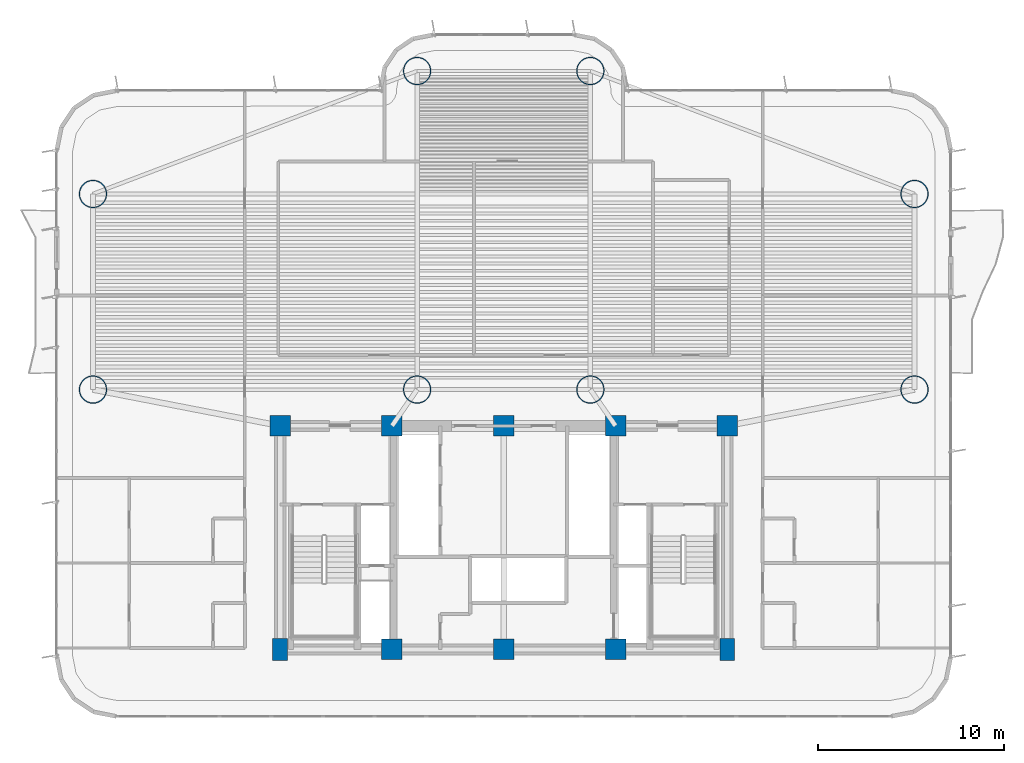
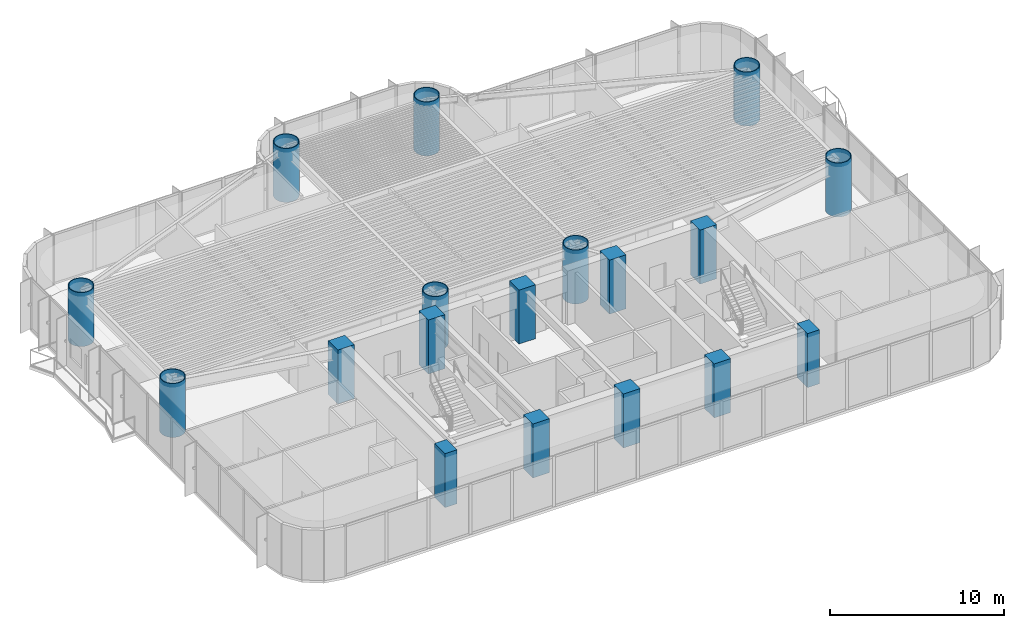
# One storey, part 1 of 17: 18 columns.
"""IFC4 building model written with IfcOpenShell, lengths in metres."""

from ifc_helpers import new_model, si_unit, direction, frame, origin, origin_2d, place, context, subcontext, project, spatial, rectangle, hollow_circle, extrude, source, transform, mapped, material, material_profile, profile_set, type_object, element, save


model = new_model("IFC4")

# Units and contexts
model_context = context("Model", 3, precision=1e-05, world=origin(), true_north=direction((0.0, 1.0)))
body_context = subcontext(model_context, "Body", "Model", "MODEL_VIEW")
ifc_project = project(units=[si_unit("LENGTHUNIT", "METRE"), si_unit("AREAUNIT", "SQUARE_METRE"), si_unit("VOLUMEUNIT", "CUBIC_METRE"), si_unit("PLANEANGLEUNIT", "RADIAN"), si_unit("MASSUNIT", "GRAM", prefix="KILO")], contexts=[model_context])

# Site, building, storey
site_placement = place(None, origin())
site = spatial("IfcSite", under=ifc_project, at=site_placement, CompositionType="ELEMENT")
building_placement = place(site_placement, origin())
building = spatial("IfcBuilding", under=site, at=building_placement, Name="Brelvock Crest Care Tower", CompositionType="ELEMENT")
storey_placement = place(building_placement, frame((0.0, 0.0, 53.4599609375)))
storey = spatial("IfcBuildingStorey", under=building, at=storey_placement, Name="L13", CompositionType="ELEMENT", Elevation=53.4599609375)

# Columns
ifc_material_1 = material(Name="Concrete S80 (80 MPa)", Category="concrete")
ifc_material_profile_1 = material_profile(ifc_material_1, rectangle(XDim=0.800048828125, YDim=1.199951171875, at=origin_2d()), Name="RC800x1200")
ifc_profile_set_1 = profile_set([ifc_material_profile_1], Name="Concrete S80 (80 MPa)")
column_type_1 = type_object("IfcColumnType", Name="COL-RC5", PredefinedType="COLUMN", material=ifc_profile_set_1)
shared_shape_1 = source(origin(), body_context, "Body", "SweptSolid", [
    extrude(rectangle(XDim=0.800048828125, YDim=1.199951171875, at=origin_2d()), origin(), (0.0, 0.0, 1.0), 3.780029296875),
])
for number, where, z_axis, x_axis, name in (
    (1, (24.0, 6.0, 0.0), (0.0, 0.0, 1.0), (1.0, 0.0, 0.0), "L13 Core Column CC-01"),
    (2, (48.0, 6.0, 0.0), (0.0, 0.0, 1.0), (1.0, 0.0, 0.0), "L13 Core Column CC-05"),
):
    element("IfcColumn", number, at=place(storey_placement, frame(where, z_axis=z_axis, x_axis=x_axis)), inside=storey, type_object=column_type_1, Name=name, PredefinedType="COLUMN", context=body_context, shape_type="MappedRepresentation", body=[
        mapped(shared_shape_1, transform((0.0, 0.0, 0.0), x_axis=(1.0, 0.0, 0.0), y_axis=(0.0, 1.0, 0.0), z_axis=(0.0, 0.0, 1.0), scale=1.0)),
    ])
ifc_material_profile_2 = material_profile(ifc_material_1, rectangle(XDim=1.10009765625, YDim=1.10009765625, at=origin_2d()), Name="RC1100x1100")
ifc_profile_set_2 = profile_set([ifc_material_profile_2], Name="Concrete S80 (80 MPa)")
column_type_2 = type_object("IfcColumnType", Name="COL-RC1", PredefinedType="COLUMN", material=ifc_profile_set_2)
shared_shape_2 = source(origin(), body_context, "Body", "SweptSolid", [
    extrude(rectangle(XDim=1.10009765625, YDim=1.10009765625, at=origin_2d()), origin(), (0.0, 0.0, 1.0), 3.780029296875),
])
for number, where, z_axis, x_axis, name in (
    (3, (30.0, 6.0, 0.0), (0.0, 0.0, 1.0), (1.0, 0.0, 0.0), "L13 Core Column CC-02"),
    (4, (36.0, 6.0, 0.0), (0.0, 0.0, 1.0), (1.0, 0.0, 0.0), "L13 Core Column CC-03"),
    (5, (42.0, 6.0, 0.0), (0.0, 0.0, 1.0), (1.0, 0.0, 0.0), "L13 Core Column CC-04"),
    (6, (24.0, 18.0, 0.0), (0.0, 0.0, 1.0), (1.0, 0.0, 0.0), "L13 Core Column CC-06"),
    (7, (30.0, 18.0, 0.0), (0.0, 0.0, 1.0), (1.0, 0.0, 0.0), "L13 Core Column CC-07"),
    (8, (36.0, 18.0, 0.0), (0.0, 0.0, 1.0), (1.0, 0.0, 0.0), "L13 Core Column CC-08"),
    (9, (42.0, 18.0, 0.0), (0.0, 0.0, 1.0), (1.0, 0.0, 0.0), "L13 Core Column CC-09"),
    (10, (48.0, 18.0, 0.0), (0.0, 0.0, 1.0), (1.0, 0.0, 0.0), "L13 Core Column CC-10"),
):
    element("IfcColumn", number, at=place(storey_placement, frame(where, z_axis=z_axis, x_axis=x_axis)), inside=storey, type_object=column_type_2, Name=name, PredefinedType="COLUMN", context=body_context, shape_type="MappedRepresentation", body=[
        mapped(shared_shape_2, transform((0.0, 0.0, 0.0), x_axis=(1.0, 0.0, 0.0), y_axis=(0.0, 1.0, 0.0), z_axis=(0.0, 0.0, 1.0), scale=1.0)),
    ])
ifc_material_2 = material(Name="Steel Grade 350", Category="steel")
ifc_material_profile_3 = material_profile(ifc_material_2, hollow_circle(Radius=0.75, WallThickness=0.050048828125, at=origin_2d()), Name="CFT1500x50")
ifc_profile_set_3 = profile_set([ifc_material_profile_3], Name="Steel Grade 350")
column_type_3 = type_object("IfcColumnType", Name="COL-MC1", PredefinedType="COLUMN", material=ifc_profile_set_3)
shared_shape_3 = source(origin(), body_context, "Body", "SweptSolid", [
    extrude(hollow_circle(Radius=0.75, WallThickness=0.050048828125, at=origin_2d()), origin(), (0.0, 0.0, 1.0), 3.780029296875),
])
for number, where, z_axis, x_axis, name in (
    (11, (13.949951171875, 19.949951171875, 0.0), (0.0, 0.0, 1.0), (1.0, 0.0, 0.0), "L13 Tower Column M1"),
    (12, (13.949951171875, 30.449951171875, 0.0), (0.0, 0.0, 1.0), (1.0, 0.0, 0.0), "L13 Tower Column M2"),
    (13, (58.050048828125, 19.949951171875, 0.0), (0.0, 0.0, 1.0), (1.0, 0.0, 0.0), "L13 Tower Column M3"),
    (14, (58.050048828125, 30.449951171875, 0.0), (0.0, 0.0, 1.0), (1.0, 0.0, 0.0), "L13 Tower Column M4"),
    (15, (31.35009765625, 19.949951171875, 0.0), (0.0, 0.0, 1.0), (1.0, 0.0, 0.0), "L13 Tower Column M5"),
    (16, (40.64990234375, 19.949951171875, 0.0), (0.0, 0.0, 1.0), (1.0, 0.0, 0.0), "L13 Tower Column M6"),
    (17, (31.35009765625, 37.050048828125, 0.0), (0.0, 0.0, 1.0), (1.0, 0.0, 0.0), "L13 Tower Column M7"),
    (18, (40.64990234375, 37.050048828125, 0.0), (0.0, 0.0, 1.0), (1.0, 0.0, 0.0), "L13 Tower Column M8"),
):
    element("IfcColumn", number, at=place(storey_placement, frame(where, z_axis=z_axis, x_axis=x_axis)), inside=storey, type_object=column_type_3, Name=name, PredefinedType="COLUMN", context=body_context, shape_type="MappedRepresentation", body=[
        mapped(shared_shape_3, transform((0.0, 0.0, 0.0), x_axis=(1.0, 0.0, 0.0), y_axis=(0.0, 1.0, 0.0), z_axis=(0.0, 0.0, 1.0), scale=1.0)),
    ])

save(model, "model.ifc")
